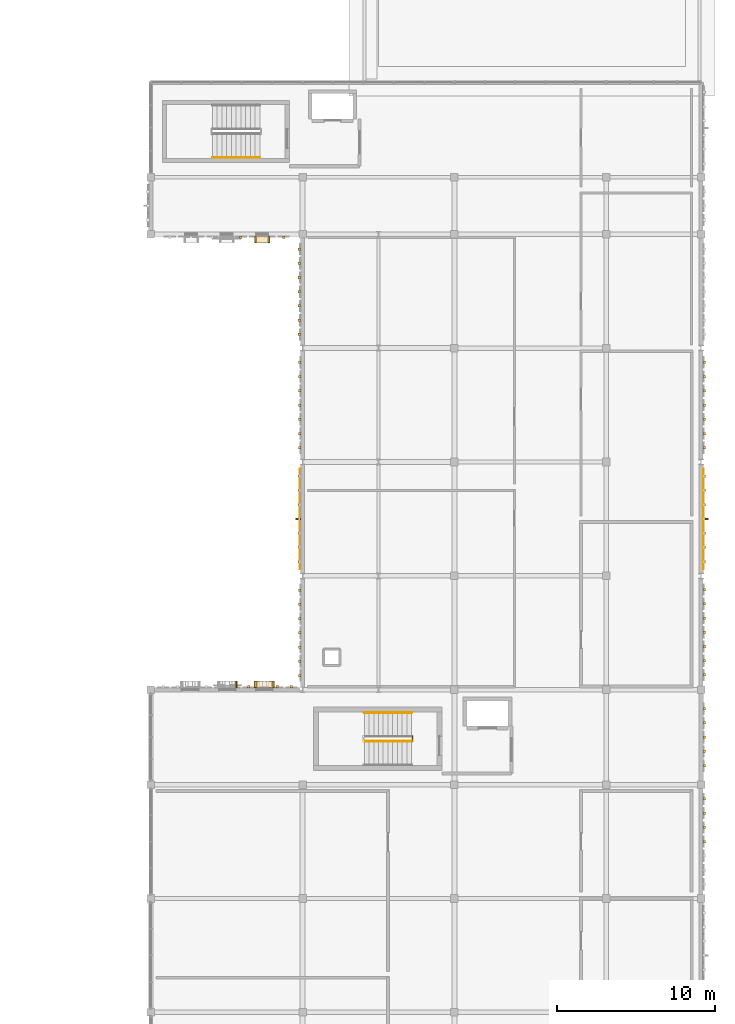
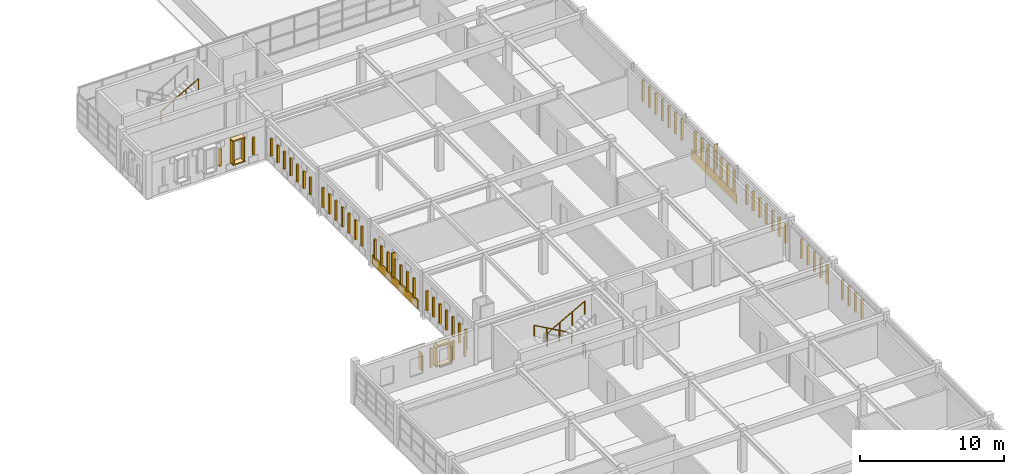
# One storey, part 47 of 53: 75 coverings, 4 railings, 2 shading devices.
"""IFC4 building model written with IfcOpenShell, lengths in metres."""

from ifc_helpers import new_model, si_unit, direction, frame, origin, origin_2d, place, context, subcontext, project, spatial, rectangle, circle, extrude, material, layer, layer_set, type_object, element, save


model = new_model("IFC4")

# Units and contexts
model_context = context("Model", 3, precision=1e-05, world=origin(), true_north=direction((0.0, 1.0)))
body_context = subcontext(model_context, "Body", "Model", "MODEL_VIEW")
ifc_project = project(units=[si_unit("LENGTHUNIT", "METRE"), si_unit("AREAUNIT", "SQUARE_METRE"), si_unit("VOLUMEUNIT", "CUBIC_METRE"), si_unit("PLANEANGLEUNIT", "RADIAN"), si_unit("MASSUNIT", "GRAM", prefix="KILO")], contexts=[model_context])

# Site, building, storey
site_placement = place(None, origin())
site = spatial("IfcSite", under=ifc_project, at=site_placement, CompositionType="ELEMENT")
building_placement = place(site_placement, origin())
building = spatial("IfcBuilding", under=site, at=building_placement, Name="Nzembalo Square Collegiate School", CompositionType="ELEMENT")
storey_placement = place(building_placement, frame((0.0, 0.0, 13.60009765625)))
storey = spatial("IfcBuildingStorey", under=building, at=storey_placement, Name="L03", CompositionType="ELEMENT", Elevation=13.60009765625)

# Coverings
ifc_material_1 = material(Name="Glazed cobalt ceramic patterned tile")
ifc_layer_1 = layer(ifc_material_1, 0.074951171875, Name="Glazed cobalt ceramic patterned tile")
ifc_layer_set_1 = layer_set([ifc_layer_1], Name="Glazed cobalt ceramic patterned tile")
covering_type_1 = type_object("IfcCoveringType", Name="CL01", PredefinedType="CLADDING", material=ifc_layer_set_1)
for number, where, z_axis, x_axis, name in (
    (1, (140.25244140625, 61.199951171875, 0.02001953125), (0.0, 0.0, 1.0), (1.0, 0.0, 0.0), "Faience spandrel cladding CL01-0200"),
    (2, (165.74755859375, 61.199951171875, 0.02001953125), (0.0, 0.0, 1.0), (1.0, 0.0, 0.0), "Faience spandrel cladding CL01-0212"),
):
    element("IfcCovering", number, at=place(storey_placement, frame(where, z_axis=z_axis, x_axis=x_axis)), inside=storey, type_object=covering_type_1, Name=name, PredefinedType="CLADDING", context=body_context, shape_type="SweptSolid", body=[
        extrude(rectangle(XDim=0.034912109375, YDim=6.35595703125, at=origin_2d()), origin(), (0.0, 0.0, 1.0), 0.800048828125),
    ])
ifc_material_2 = material(Name="Glazed ochre ceramic lancet rib")
ifc_layer_2 = layer(ifc_material_2, 0.159912109375, Name="Glazed ochre ceramic lancet rib")
ifc_layer_set_2 = layer_set([ifc_layer_2], Name="Glazed ochre ceramic lancet rib")
covering_type_2 = type_object("IfcCoveringType", Name="CL02", PredefinedType="CLADDING", material=ifc_layer_set_2)
for number, where, z_axis, x_axis, name in (
    (3, (136.9951171875, 50.6025390625, 0.760009765625), (0.0, 0.0, 1.0), (1.0, 0.0, 0.0), "Gothic ceramic rib CL02-X0198-6"),
    (4, (138.794921875, 50.6025390625, 0.760009765625), (0.0, 0.0, 1.0), (1.0, 0.0, 0.0), "Gothic ceramic rib CL02-X0198-8"),
    (5, (139.695068359375, 50.6025390625, 0.760009765625), (0.0, 0.0, 1.0), (1.0, 0.0, 0.0), "Gothic ceramic rib CL02-X0198-9"),
    (6, (140.20751953125, 51.300048828125, 0.760009765625), (0.0, 0.0, 1.0), (1.0, 0.0, 0.0), "Gothic ceramic rib CL02-Y0199-0"),
    (7, (140.20751953125, 52.199951171875, 0.760009765625), (0.0, 0.0, 1.0), (1.0, 0.0, 0.0), "Gothic ceramic rib CL02-Y0199-1"),
    (8, (140.20751953125, 53.10009765625, 0.760009765625), (0.0, 0.0, 1.0), (1.0, 0.0, 0.0), "Gothic ceramic rib CL02-Y0199-2"),
    (9, (140.20751953125, 54.0, 0.760009765625), (0.0, 0.0, 1.0), (1.0, 0.0, 0.0), "Gothic ceramic rib CL02-Y0199-3"),
    (10, (140.20751953125, 54.89990234375, 0.760009765625), (0.0, 0.0, 1.0), (1.0, 0.0, 0.0), "Gothic ceramic rib CL02-Y0199-4"),
    (11, (140.20751953125, 55.800048828125, 0.760009765625), (0.0, 0.0, 1.0), (1.0, 0.0, 0.0), "Gothic ceramic rib CL02-Y0199-5"),
    (12, (140.20751953125, 56.699951171875, 0.760009765625), (0.0, 0.0, 1.0), (1.0, 0.0, 0.0), "Gothic ceramic rib CL02-Y0199-6"),
    (13, (140.197509765625, 58.5, 0.760009765625), (0.0, 0.0, 1.0), (1.0, 0.0, 0.0), "Gothic ceramic rib CL02-Y0200-0"),
    (14, (140.197509765625, 59.39990234375, 0.760009765625), (0.0, 0.0, 1.0), (1.0, 0.0, 0.0), "Gothic ceramic rib CL02-Y0200-1"),
    (15, (140.197509765625, 60.300048828125, 0.760009765625), (0.0, 0.0, 1.0), (1.0, 0.0, 0.0), "Gothic ceramic rib CL02-Y0200-2"),
    (16, (140.197509765625, 61.199951171875, 0.760009765625), (0.0, 0.0, 1.0), (1.0, 0.0, 0.0), "Gothic ceramic rib CL02-Y0200-3"),
    (17, (140.197509765625, 62.10009765625, 0.760009765625), (0.0, 0.0, 1.0), (1.0, 0.0, 0.0), "Gothic ceramic rib CL02-Y0200-4"),
    (18, (140.197509765625, 63.0, 0.760009765625), (0.0, 0.0, 1.0), (1.0, 0.0, 0.0), "Gothic ceramic rib CL02-Y0200-5"),
    (19, (140.197509765625, 63.89990234375, 0.760009765625), (0.0, 0.0, 1.0), (1.0, 0.0, 0.0), "Gothic ceramic rib CL02-Y0200-6"),
    (20, (140.20751953125, 65.699951171875, 0.760009765625), (0.0, 0.0, 1.0), (1.0, 0.0, 0.0), "Gothic ceramic rib CL02-Y0201-0"),
    (21, (140.20751953125, 66.60009765625, 0.760009765625), (0.0, 0.0, 1.0), (1.0, 0.0, 0.0), "Gothic ceramic rib CL02-Y0201-1"),
    (22, (140.20751953125, 67.5, 0.760009765625), (0.0, 0.0, 1.0), (1.0, 0.0, 0.0), "Gothic ceramic rib CL02-Y0201-2"),
    (23, (140.20751953125, 68.39990234375, 0.760009765625), (0.0, 0.0, 1.0), (1.0, 0.0, 0.0), "Gothic ceramic rib CL02-Y0201-3"),
    (24, (140.20751953125, 69.300048828125, 0.760009765625), (0.0, 0.0, 1.0), (1.0, 0.0, 0.0), "Gothic ceramic rib CL02-Y0201-4"),
    (25, (140.20751953125, 70.199951171875, 0.760009765625), (0.0, 0.0, 1.0), (1.0, 0.0, 0.0), "Gothic ceramic rib CL02-Y0201-5"),
    (26, (140.20751953125, 71.10009765625, 0.760009765625), (0.0, 0.0, 1.0), (1.0, 0.0, 0.0), "Gothic ceramic rib CL02-Y0201-6"),
):
    element("IfcCovering", number, at=place(storey_placement, frame(where, z_axis=z_axis, x_axis=x_axis)), inside=storey, type_object=covering_type_2, Name=name, PredefinedType="CLADDING", context=body_context, shape_type="SweptSolid", body=[
        extrude(rectangle(XDim=0.159912109375, YDim=0.159912109375, at=origin_2d()), origin(), (0.0, 0.0, 1.0), 1.64892578125),
    ])
for number, where, z_axis, x_axis, name in (
    (27, (140.197509765625, 72.864990234375, 0.760009765625), (0.0, 0.0, 1.0), (1.0, 0.0, 0.0), "Gothic ceramic rib CL02-Y0202-0"),
    (28, (140.197509765625, 73.764892578125, 0.760009765625), (0.0, 0.0, 1.0), (1.0, 0.0, 0.0), "Gothic ceramic rib CL02-Y0202-1"),
    (29, (140.197509765625, 74.6650390625, 0.760009765625), (0.0, 0.0, 1.0), (1.0, 0.0, 0.0), "Gothic ceramic rib CL02-Y0202-2"),
    (30, (140.197509765625, 75.56494140625, 0.760009765625), (0.0, 0.0, 1.0), (1.0, 0.0, 0.0), "Gothic ceramic rib CL02-Y0202-3"),
    (31, (140.197509765625, 76.465087890625, 0.760009765625), (0.0, 0.0, 1.0), (1.0, 0.0, 0.0), "Gothic ceramic rib CL02-Y0202-4"),
    (32, (140.197509765625, 77.364990234375, 0.760009765625), (0.0, 0.0, 1.0), (1.0, 0.0, 0.0), "Gothic ceramic rib CL02-Y0202-5"),
    (33, (140.197509765625, 78.264892578125, 0.760009765625), (0.0, 0.0, 1.0), (1.0, 0.0, 0.0), "Gothic ceramic rib CL02-Y0202-6"),
    (34, (136.5, 79.007568359375, 0.760009765625), (0.0, 0.0, 1.0), (1.0, 0.0, 0.0), "Gothic ceramic rib CL02-X0203-5"),
    (35, (139.199951171875, 79.007568359375, 0.760009765625), (0.0, 0.0, 1.0), (1.0, 0.0, 0.0), "Gothic ceramic rib CL02-X0203-8"),
):
    element("IfcCovering", number, at=place(storey_placement, frame(where, z_axis=z_axis, x_axis=x_axis)), inside=storey, type_object=covering_type_2, Name=name, PredefinedType="CLADDING", context=body_context, shape_type="SweptSolid", body=[
        extrude(rectangle(XDim=0.159912109375, YDim=0.159912109375, at=origin_2d()), origin(), (0.0, 0.0, 1.0), 1.458984375),
    ])
for number, where, z_axis, x_axis, name in (
    (36, (165.79248046875, 40.800048828125, 0.760009765625), (0.0, 0.0, 1.0), (1.0, 0.0, 0.0), "Gothic ceramic rib CL02-Y0209-3"),
    (37, (165.79248046875, 41.699951171875, 0.760009765625), (0.0, 0.0, 1.0), (1.0, 0.0, 0.0), "Gothic ceramic rib CL02-Y0209-4"),
    (38, (165.79248046875, 42.60009765625, 0.760009765625), (0.0, 0.0, 1.0), (1.0, 0.0, 0.0), "Gothic ceramic rib CL02-Y0209-5"),
    (39, (165.79248046875, 43.5, 0.760009765625), (0.0, 0.0, 1.0), (1.0, 0.0, 0.0), "Gothic ceramic rib CL02-Y0209-6"),
    (40, (165.802490234375, 45.60009765625, 0.760009765625), (0.0, 0.0, 1.0), (1.0, 0.0, 0.0), "Gothic ceramic rib CL02-Y0210-0"),
    (41, (165.802490234375, 46.5, 0.760009765625), (0.0, 0.0, 1.0), (1.0, 0.0, 0.0), "Gothic ceramic rib CL02-Y0210-1"),
    (42, (165.802490234375, 47.39990234375, 0.760009765625), (0.0, 0.0, 1.0), (1.0, 0.0, 0.0), "Gothic ceramic rib CL02-Y0210-2"),
    (43, (165.802490234375, 48.300048828125, 0.760009765625), (0.0, 0.0, 1.0), (1.0, 0.0, 0.0), "Gothic ceramic rib CL02-Y0210-3"),
    (44, (165.802490234375, 49.199951171875, 0.760009765625), (0.0, 0.0, 1.0), (1.0, 0.0, 0.0), "Gothic ceramic rib CL02-Y0210-4"),
    (45, (165.79248046875, 51.3349609375, 0.760009765625), (0.0, 0.0, 1.0), (1.0, 0.0, 0.0), "Gothic ceramic rib CL02-Y0211-0"),
    (46, (165.79248046875, 52.235107421875, 0.760009765625), (0.0, 0.0, 1.0), (1.0, 0.0, 0.0), "Gothic ceramic rib CL02-Y0211-1"),
    (47, (165.79248046875, 53.135009765625, 0.760009765625), (0.0, 0.0, 1.0), (1.0, 0.0, 0.0), "Gothic ceramic rib CL02-Y0211-2"),
    (48, (165.79248046875, 54.034912109375, 0.760009765625), (0.0, 0.0, 1.0), (1.0, 0.0, 0.0), "Gothic ceramic rib CL02-Y0211-3"),
    (49, (165.79248046875, 54.93505859375, 0.760009765625), (0.0, 0.0, 1.0), (1.0, 0.0, 0.0), "Gothic ceramic rib CL02-Y0211-4"),
    (50, (165.79248046875, 55.8349609375, 0.760009765625), (0.0, 0.0, 1.0), (1.0, 0.0, 0.0), "Gothic ceramic rib CL02-Y0211-5"),
    (51, (165.79248046875, 56.735107421875, 0.760009765625), (0.0, 0.0, 1.0), (1.0, 0.0, 0.0), "Gothic ceramic rib CL02-Y0211-6"),
):
    element("IfcCovering", number, at=place(storey_placement, frame(where, z_axis=z_axis, x_axis=x_axis)), inside=storey, type_object=covering_type_2, Name=name, PredefinedType="CLADDING", context=body_context, shape_type="SweptSolid", body=[
        extrude(rectangle(XDim=0.159912109375, YDim=0.159912109375, at=origin_2d()), origin(), (0.0, 0.0, 1.0), 1.64892578125),
    ])
for number, where, z_axis, x_axis, name in (
    (52, (165.802490234375, 58.5, 0.759765625), (0.0, 0.0, 1.0), (1.0, 0.0, 0.0), "Gothic ceramic rib CL02-Y0212-0"),
    (53, (165.802490234375, 59.39990234375, 0.759765625), (0.0, 0.0, 1.0), (1.0, 0.0, 0.0), "Gothic ceramic rib CL02-Y0212-1"),
    (54, (165.802490234375, 60.300048828125, 0.759765625), (0.0, 0.0, 1.0), (1.0, 0.0, 0.0), "Gothic ceramic rib CL02-Y0212-2"),
    (55, (165.802490234375, 61.199951171875, 0.759765625), (0.0, 0.0, 1.0), (1.0, 0.0, 0.0), "Gothic ceramic rib CL02-Y0212-3"),
    (56, (165.802490234375, 62.10009765625, 0.759765625), (0.0, 0.0, 1.0), (1.0, 0.0, 0.0), "Gothic ceramic rib CL02-Y0212-4"),
    (57, (165.802490234375, 63.0, 0.759765625), (0.0, 0.0, 1.0), (1.0, 0.0, 0.0), "Gothic ceramic rib CL02-Y0212-5"),
    (58, (165.802490234375, 63.89990234375, 0.759765625), (0.0, 0.0, 1.0), (1.0, 0.0, 0.0), "Gothic ceramic rib CL02-Y0212-6"),
    (59, (165.79248046875, 65.699951171875, 0.759765625), (0.0, 0.0, 1.0), (1.0, 0.0, 0.0), "Gothic ceramic rib CL02-Y0213-0"),
    (60, (165.79248046875, 66.60009765625, 0.759765625), (0.0, 0.0, 1.0), (1.0, 0.0, 0.0), "Gothic ceramic rib CL02-Y0213-1"),
    (61, (165.79248046875, 67.5, 0.759765625), (0.0, 0.0, 1.0), (1.0, 0.0, 0.0), "Gothic ceramic rib CL02-Y0213-2"),
    (62, (165.79248046875, 68.39990234375, 0.759765625), (0.0, 0.0, 1.0), (1.0, 0.0, 0.0), "Gothic ceramic rib CL02-Y0213-3"),
    (63, (165.79248046875, 69.300048828125, 0.759765625), (0.0, 0.0, 1.0), (1.0, 0.0, 0.0), "Gothic ceramic rib CL02-Y0213-4"),
    (64, (165.79248046875, 70.199951171875, 0.759765625), (0.0, 0.0, 1.0), (1.0, 0.0, 0.0), "Gothic ceramic rib CL02-Y0213-5"),
    (65, (165.79248046875, 71.10009765625, 0.759765625), (0.0, 0.0, 1.0), (1.0, 0.0, 0.0), "Gothic ceramic rib CL02-Y0213-6"),
):
    element("IfcCovering", number, at=place(storey_placement, frame(where, z_axis=z_axis, x_axis=x_axis)), inside=storey, type_object=covering_type_2, Name=name, PredefinedType="CLADDING", context=body_context, shape_type="SweptSolid", body=[
        extrude(rectangle(XDim=0.159912109375, YDim=0.159912109375, at=origin_2d()), origin(), (0.0, 0.0, 1.0), 1.799072265625),
    ])
ifc_material_3 = material(Name="Glazed celadon ceramic window frame")
ifc_layer_3 = layer(ifc_material_3, 0.419921875, Name="Glazed celadon ceramic window frame")
ifc_layer_set_3 = layer_set([ifc_layer_3], Name="Glazed celadon ceramic window frame")
covering_type_3 = type_object("IfcCoveringType", Name="WF01", PredefinedType="CLADDING", material=ifc_layer_set_3)
covering_1_placement = place(storey_placement, frame((136.22509765625, 50.737548828125, 0.75), z_axis=(0.0, 0.0, 1.0), x_axis=(1.0, 0.0, 0.0)))
element("IfcCovering", 66, at=covering_1_placement, inside=storey, type_object=covering_type_3, Name="Deep lancet window jamb WF01-0533R", PredefinedType="CLADDING", context=body_context, shape_type="SweptSolid", body=[
    extrude(rectangle(XDim=0.10009765625, YDim=0.419921875, at=origin_2d()), origin(), (0.0, 0.0, 1.0), 1.5),
])
covering_2_placement = place(storey_placement, frame((137.989013671875, 50.737548828125, 2.2548828125), z_axis=(0.0, 0.0, 1.0), x_axis=(1.0, 0.0, 0.0)))
element("IfcCovering", 67, at=covering_2_placement, inside=storey, type_object=covering_type_3, Name="Deep lancet window hood WF01-0534", PredefinedType="CLADDING", context=body_context, shape_type="SweptSolid", body=[
    extrude(rectangle(XDim=1.2900390625, YDim=0.419921875, at=origin_2d()), origin(), (0.0, 0.0, 1.0), 0.110107421875),
])
covering_3_placement = place(storey_placement, frame((137.989013671875, 50.737548828125, 2.35986328125), z_axis=(0.0, 0.0, 1.0), x_axis=(1.0, 0.0, 0.0)))
element("IfcCovering", 68, at=covering_3_placement, inside=storey, type_object=covering_type_3, Name="Pointed lancet gable WF01-0534-1", PredefinedType="CLADDING", context=body_context, shape_type="SweptSolid", body=[
    extrude(rectangle(XDim=0.949951171875, YDim=0.419921875, at=origin_2d()), origin(), (0.0, 0.0, 1.0), 0.1201171875),
])
covering_4_placement = place(storey_placement, frame((137.989013671875, 50.737548828125, 0.65478515625), z_axis=(0.0, 0.0, 1.0), x_axis=(1.0, 0.0, 0.0)))
element("IfcCovering", 69, at=covering_4_placement, inside=storey, type_object=covering_type_3, Name="Deep lancet window sill WF01-0534", PredefinedType="CLADDING", context=body_context, shape_type="SweptSolid", body=[
    extrude(rectangle(XDim=1.2900390625, YDim=0.419921875, at=origin_2d()), origin(), (0.0, 0.0, 1.0), 0.090087890625),
])
for number, where, z_axis, x_axis, name in (
    (70, (137.408935546875, 50.737548828125, 0.75), (0.0, 0.0, 1.0), (1.0, 0.0, 0.0), "Deep lancet window jamb WF01-0534L"),
    (71, (138.569091796875, 50.737548828125, 0.75), (0.0, 0.0, 1.0), (1.0, 0.0, 0.0), "Deep lancet window jamb WF01-0534R"),
):
    element("IfcCovering", number, at=place(storey_placement, frame(where, z_axis=z_axis, x_axis=x_axis)), inside=storey, type_object=covering_type_3, Name=name, PredefinedType="CLADDING", context=body_context, shape_type="SweptSolid", body=[
        extrude(rectangle(XDim=0.10009765625, YDim=0.419921875, at=origin_2d()), origin(), (0.0, 0.0, 1.0), 1.5),
    ])
covering_5_placement = place(storey_placement, frame((137.846435546875, 78.87255859375, 2.65478515625), z_axis=(0.0, 0.0, 1.0), x_axis=(1.0, 0.0, 0.0)))
element("IfcCovering", 72, at=covering_5_placement, inside=storey, type_object=covering_type_3, Name="Deep lancet window hood WF01-0596", PredefinedType="CLADDING", context=body_context, shape_type="SweptSolid", body=[
    extrude(rectangle(XDim=0.989990234375, YDim=0.419921875, at=origin_2d()), origin(), (0.0, 0.0, 1.0), 0.110107421875),
])
covering_6_placement = place(storey_placement, frame((137.846435546875, 78.87255859375, 0.65478515625), z_axis=(0.0, 0.0, 1.0), x_axis=(1.0, 0.0, 0.0)))
element("IfcCovering", 73, at=covering_6_placement, inside=storey, type_object=covering_type_3, Name="Deep lancet window sill WF01-0596", PredefinedType="CLADDING", context=body_context, shape_type="SweptSolid", body=[
    extrude(rectangle(XDim=0.989990234375, YDim=0.419921875, at=origin_2d()), origin(), (0.0, 0.0, 1.0), 0.090087890625),
])
for number, where, z_axis, x_axis, name in (
    (74, (137.41650390625, 78.87255859375, 0.75), (0.0, 0.0, 1.0), (1.0, 0.0, 0.0), "Deep lancet window jamb WF01-0596L"),
    (75, (138.276611328125, 78.87255859375, 0.75), (0.0, 0.0, 1.0), (1.0, 0.0, 0.0), "Deep lancet window jamb WF01-0596R"),
):
    element("IfcCovering", number, at=place(storey_placement, frame(where, z_axis=z_axis, x_axis=x_axis)), inside=storey, type_object=covering_type_3, Name=name, PredefinedType="CLADDING", context=body_context, shape_type="SweptSolid", body=[
        extrude(rectangle(XDim=0.10009765625, YDim=0.419921875, at=origin_2d()), origin(), (0.0, 0.0, 1.0), 1.89990234375),
    ])

# Railings
ifc_material_4 = material(Name="Steel S355", Category="steel")
railing_type_1 = type_object("IfcRailingType", Name="GR01", PredefinedType="GUARDRAIL", material=ifc_material_4)
railing_1_placement = place(storey_placement, frame((144.300048828125, 47.14990234375, 2.02978515625)))
element("IfcRailing", 76, at=railing_1_placement, inside=storey, type_object=railing_type_1, Name="Stair guard GR-22-3", PredefinedType="GUARDRAIL", context=body_context, shape_type="SweptSolid", body=[
    extrude(circle(Radius=0.02392578125, at=origin_2d()), frame((0.0, 0.0, 1.1259765625), z_axis=(0.869997889882, 0.0, 0.493055444754), x_axis=(0.0, 1.0, 0.0)), (0.0, 0.0, 1.0), 3.4482421875),
    extrude(circle(Radius=0.02099609375, at=origin_2d()), origin(), (0.0, 0.0, 1.0), 1.101806640625),
    extrude(circle(Radius=0.02099609375, at=origin_2d()), frame((1.0, 0.0, 0.566650390625)), (0.0, 0.0, 1.0), 1.101806640625),
    extrude(circle(Radius=0.02099609375, at=origin_2d()), frame((2.0, 0.0, 1.133544921875)), (0.0, 0.0, 1.0), 1.101806640625),
    extrude(circle(Radius=0.02099609375, at=origin_2d()), frame((3.0, 0.0, 1.7001953125)), (0.0, 0.0, 1.0), 1.101806640625),
])
railing_2_placement = place(storey_placement, frame((147.35009765625, 47.1201171875, -0.005126953125)))
element("IfcRailing", 77, at=railing_2_placement, inside=storey, type_object=railing_type_1, Name="Stair guard GR-22-4", PredefinedType="GUARDRAIL", context=body_context, shape_type="SweptSolid", body=[
    extrude(circle(Radius=0.02392578125, at=origin_2d()), frame((0.0, 0.0, 1.1259765625), z_axis=(0.0, 1.0, 0.0), x_axis=(-1.0, 0.0, 0.0)), (0.0, 0.0, 1.0), 0.35986328125),
    extrude(circle(Radius=0.02099609375, at=origin_2d()), origin(), (0.0, 0.0, 1.0), 1.101806640625),
    extrude(circle(Radius=0.02099609375, at=origin_2d()), frame((0.0, 0.35986328125, 0.0)), (0.0, 0.0, 1.0), 1.101806640625),
])
ifc_material_5 = material(Name="Steel S355", Category="steel")
railing_type_2 = type_object("IfcRailingType", Name="HR01", PredefinedType="HANDRAIL", material=ifc_material_5)
railing_3_placement = place(storey_placement, frame((134.699951171875, 84.050048828125, 2.02978515625)))
element("IfcRailing", 78, at=railing_3_placement, inside=storey, type_object=railing_type_2, Name="Stair handrail HR-16-2", PredefinedType="HANDRAIL", context=body_context, shape_type="SweptSolid", body=[
    extrude(circle(Radius=0.02392578125, at=origin_2d()), frame((0.0, 0.0, 0.89599609375), z_axis=(0.869997889882, 0.0, 0.493055444754), x_axis=(0.0, 1.0, 0.0)), (0.0, 0.0, 1.0), 3.4482421875),
    extrude(circle(Radius=0.02099609375, at=origin_2d()), origin(), (0.0, 0.0, 1.0), 0.871826171875),
    extrude(circle(Radius=0.02099609375, at=origin_2d()), frame((1.0, 0.0, 0.566650390625)), (0.0, 0.0, 1.0), 0.871826171875),
    extrude(circle(Radius=0.02099609375, at=origin_2d()), frame((2.0, 0.0, 1.133544921875)), (0.0, 0.0, 1.0), 0.871826171875),
    extrude(circle(Radius=0.02099609375, at=origin_2d()), frame((3.0, 0.0, 1.7001953125)), (0.0, 0.0, 1.0), 0.871826171875),
])
railing_4_placement = place(storey_placement, frame((147.300048828125, 48.949951171875, 0.159912109375)))
element("IfcRailing", 79, at=railing_4_placement, inside=storey, type_object=railing_type_2, Name="Stair handrail HR-22-1", PredefinedType="HANDRAIL", context=body_context, shape_type="SweptSolid", body=[
    extrude(circle(Radius=0.02392578125, at=origin_2d()), frame((0.0, 0.0, 0.89599609375), z_axis=(-0.870028259722, 0.0, 0.493001853226), x_axis=(0.0, -1.0, 0.0)), (0.0, 0.0, 1.0), 3.4482421875),
    extrude(circle(Radius=0.02099609375, at=origin_2d()), origin(), (0.0, 0.0, 1.0), 0.871826171875),
    extrude(circle(Radius=0.02099609375, at=origin_2d()), frame((-1.0, 0.0, 0.566650390625)), (0.0, 0.0, 1.0), 0.871826171875),
    extrude(circle(Radius=0.02099609375, at=origin_2d()), frame((-2.0, 0.0, 1.13330078125)), (0.0, 0.0, 1.0), 0.871826171875),
    extrude(circle(Radius=0.02099609375, at=origin_2d()), frame((-3.0, 0.0, 1.699951171875)), (0.0, 0.0, 1.0), 0.871826171875),
])

# Shading devices
ifc_material_6 = material(Name="Glazed ochre ceramic vertical fin")
shading_device_type = type_object("IfcShadingDeviceType", Name="JL01", PredefinedType="JALOUSIE", material=ifc_material_6)
shading_device_1_placement = place(storey_placement, frame((140.112548828125, 61.199951171875, 0.949951171875), z_axis=(0.0, 0.0, 1.0), x_axis=(1.0, 0.0, 0.0)))
element("IfcShadingDevice", 80, at=shading_device_1_placement, inside=storey, type_object=shading_device_type, Name="Ceramic fin JL01-0200", PredefinedType="JALOUSIE", context=body_context, shape_type="SweptSolid", body=[
    extrude(rectangle(XDim=0.320068359375, YDim=0.090087890625, at=origin_2d()), origin(), (0.0, 0.0, 1.0), 1.9990234375),
])
shading_device_2_placement = place(storey_placement, frame((165.887451171875, 61.199951171875, 0.949951171875), z_axis=(0.0, 0.0, 1.0), x_axis=(1.0, 0.0, 0.0)))
element("IfcShadingDevice", 81, at=shading_device_2_placement, inside=storey, type_object=shading_device_type, Name="Ceramic fin JL01-0212", PredefinedType="JALOUSIE", context=body_context, shape_type="SweptSolid", body=[
    extrude(rectangle(XDim=0.320068359375, YDim=0.090087890625, at=origin_2d()), origin(), (0.0, 0.0, 1.0), 2.14892578125),
])

save(model, "model.ifc")
